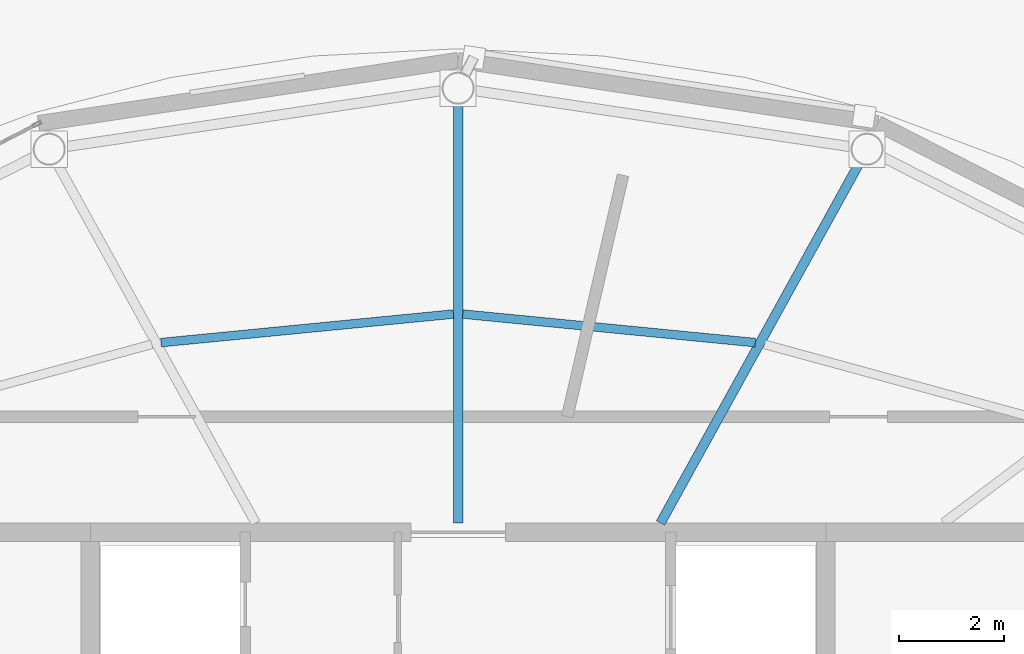
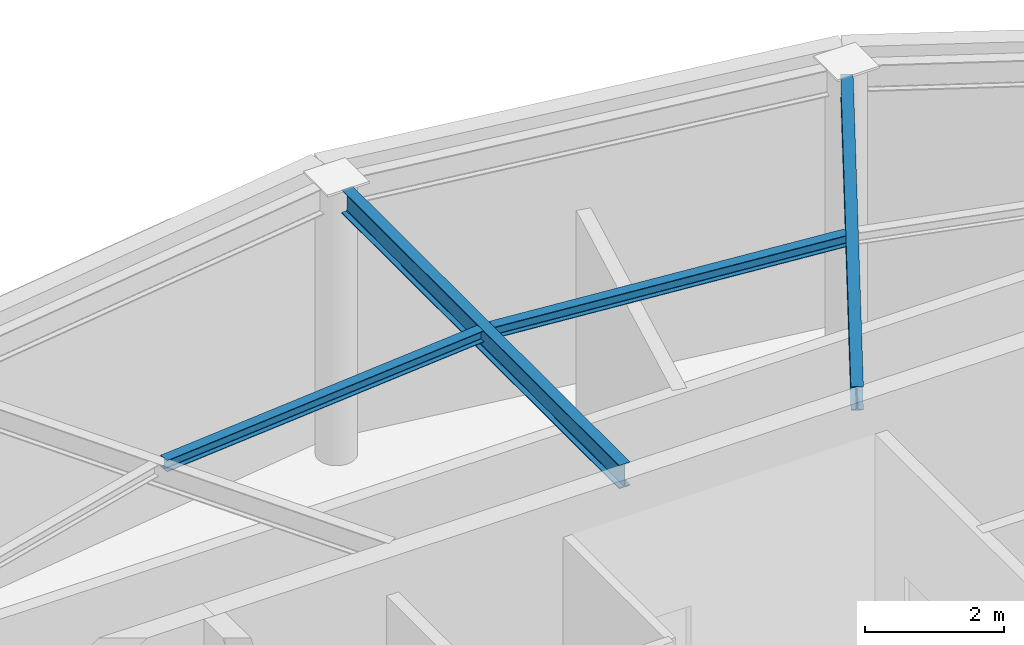
# One storey, part 5 of 15: 4 beams.
"""IFC4 building model written with IfcOpenShell, lengths in metres."""

import ifcopenshell
import ifcopenshell.guid

model = None  # the IFC model being written
_history = None  # IfcOwnerHistory: only IFC2X3 demands one
_inside = {}  # id of a spatial element -> (the spatial element, [elements in it])
_under = {}  # id of a project, library or spatial element -> (it, [spatial elements below it])
_declared = {}  # id of a project -> (the project, [libraries it declares])
_typed = {}  # id of a type object -> (the type object, [elements of that type])
_made_of = {}  # id of a material, layer set ... -> (it, [elements and type objects made of it])


def new_model(schema):
    """Start an empty IFC model of exactly this schema.

    Asked for "IFC4X3", IfcOpenShell would pick the latest addendum, in which some entities
    have other attributes; the version numbers below select the first issue.
    IFC2X3 requires an IfcOwnerHistory on every rooted entity: one is made here for all.
    """
    global model, _history
    if schema == "IFC4X3":
        model = ifcopenshell.file(schema_version=(4, 3, 0, 0))
    else:
        model = ifcopenshell.file(schema=schema)
    _inside.clear()
    _under.clear()
    _declared.clear()
    _typed.clear()
    _made_of.clear()
    _history = None
    if model.schema == "IFC2X3":
        org = make("IfcOrganization", Name="unknown")
        user = make(
            "IfcPersonAndOrganization",
            ThePerson=make("IfcPerson", FamilyName="unknown"),
            TheOrganization=org,
        )
        app = make(
            "IfcApplication",
            ApplicationDeveloper=org,
            Version="unknown",
            ApplicationFullName="unknown",
            ApplicationIdentifier="unknown",
        )
        _history = make(
            "IfcOwnerHistory",
            OwningUser=user,
            OwningApplication=app,
            ChangeAction="ADDED",
            CreationDate=0,
        )
    return model


def make(cls, **values):
    """One entity of the class cls with the attributes given. An attribute that is None is left unset."""
    return model.create_entity(
        cls, **{name: value for name, value in values.items() if value is not None}
    )


def rooted(cls, **values):
    """An entity with a GlobalId (a new one), such as an element, a storey or a relation."""
    return make(cls, GlobalId=ifcopenshell.guid.new(), OwnerHistory=_history, **values)


def si_unit(unit_type, name, prefix=None):
    """IfcSIUnit, for example si_unit("LENGTHUNIT", "METRE", prefix="MILLI")."""
    return make("IfcSIUnit", UnitType=unit_type, Prefix=prefix, Name=name)


def assignment(units):
    """IfcUnitAssignment: the units of a project."""
    return None if units is None else make("IfcUnitAssignment", Units=units)


def point(xyz):
    """IfcCartesianPoint."""
    return None if xyz is None else make("IfcCartesianPoint", Coordinates=xyz)


def direction(xyz):
    """IfcDirection."""
    return None if xyz is None else make("IfcDirection", DirectionRatios=xyz)


def frame(location, z_axis=None, x_axis=None):
    """IfcAxis2Placement3D, a coordinate frame: its origin and axes. An axis left out is left unset."""
    return make(
        "IfcAxis2Placement3D",
        Location=point(location),
        Axis=direction(z_axis),
        RefDirection=direction(x_axis),
    )


def frame_2d(location, x_axis=None):
    """IfcAxis2Placement2D, a coordinate frame in the plane: its origin and x axis."""
    return make(
        "IfcAxis2Placement2D", Location=point(location), RefDirection=direction(x_axis)
    )


def origin():
    """The frame at (0, 0, 0) with its axes left unset."""
    return frame((0.0, 0.0, 0.0))


def origin_2d():
    """The frame at (0, 0) in the plane with its x axis left unset."""
    return frame_2d((0.0, 0.0))


def place(relative_to, where):
    """IfcLocalPlacement: puts the frame where relative to a parent placement (None: the world)."""
    return make(
        "IfcLocalPlacement", PlacementRelTo=relative_to, RelativePlacement=where
    )


def context(
    kind, dimensions, precision=None, world=None, true_north=None, identifier=None
):
    """IfcGeometricRepresentationContext, for example the 3D "Model" context."""
    return make(
        "IfcGeometricRepresentationContext",
        ContextIdentifier=identifier,
        ContextType=kind,
        CoordinateSpaceDimension=dimensions,
        Precision=precision,
        WorldCoordinateSystem=world,
        TrueNorth=true_north,
    )


def subcontext(parent, identifier, kind, view, scale=None):
    """IfcGeometricRepresentationSubContext, for example "Body" below "Model"."""
    return make(
        "IfcGeometricRepresentationSubContext",
        ContextIdentifier=identifier,
        ContextType=kind,
        ParentContext=parent,
        TargetScale=scale,
        TargetView=view,
    )


def project(units=None, contexts=None):
    """IfcProject with its units and contexts."""
    return rooted(
        "IfcProject",
        Name="project",
        RepresentationContexts=contexts,
        UnitsInContext=assignment(units),
    )


def spatial(cls, under=None, at=None, **own):
    """A site, building, storey or space (cls), placed at a placement, below another one or the project."""
    s = rooted(cls, ObjectPlacement=at, **own)
    if under is not None:
        _under.setdefault(under.id(), (under, []))[1].append(s)
    return s


def profile(cls, at=None, kind="AREA", **sizes):
    """A parametric profile (cls). Its sizes go by their IFC names, for example OverallWidth=200.0."""
    return make(cls, ProfileType=kind, Position=at, **sizes)


def i_section(**sizes):
    """IfcIShapeProfileDef."""
    return profile("IfcIShapeProfileDef", **sizes)


def extrude(swept, where, along, depth):
    """IfcExtrudedAreaSolid: the profile swept, set in the frame where, extruded along a direction by depth."""
    return make(
        "IfcExtrudedAreaSolid",
        SweptArea=swept,
        Position=where,
        ExtrudedDirection=direction(along),
        Depth=depth,
    )


def shape(context_of_items, identifier, shape_type, items):
    """IfcShapeRepresentation: the items that make up one representation, for example the "Body"."""
    return make(
        "IfcShapeRepresentation",
        ContextOfItems=context_of_items,
        RepresentationIdentifier=identifier,
        RepresentationType=shape_type,
        Items=items,
    )


def material(Name=None, Category=None):
    """IfcMaterial."""
    return make("IfcMaterial", Name=Name, Category=Category)


def material_profile(
    of_material, cross_section, Name=None, Category=None, Priority=None
):
    """IfcMaterialProfile: a cross section and its material."""
    return make(
        "IfcMaterialProfile",
        Name=Name,
        Material=of_material,
        Profile=cross_section,
        Priority=Priority,
        Category=Category,
    )


def profile_set(profiles, Name=None, composite=None):
    """IfcMaterialProfileSet."""
    return make(
        "IfcMaterialProfileSet",
        Name=Name,
        MaterialProfiles=profiles,
        CompositeProfile=composite,
    )


def made_of(thing, what):
    """Note that an element or type object is made of a material, layer set ...; save() writes the relation."""
    if what is not None:
        _made_of.setdefault(what.id(), (what, []))[1].append(thing)
    return thing


def type_object(cls, material=None, **own):
    """A type object (cls), such as IfcWallType, which elements share."""
    return made_of(rooted(cls, **own), material)


def element(
    cls,
    number,
    at=None,
    inside=None,
    cuts=None,
    type_object=None,
    material=None,
    context=None,
    identifier="Body",
    shape_type=None,
    held_by="IfcProductDefinitionShape",
    body=None,
    shapes=None,
    **own,
):
    """One element of the class cls, such as IfcWall. Its Tag is "e" and its number.

    at: its placement. inside: the storey or other place that contains it. cuts: it is an
    opening in that element (IfcRelVoidsElement). A single representation is given by context,
    identifier, shape_type and body (its items); several are given by shapes. held_by: the class
    of the entity that holds the representations. save() writes the other relations.
    """
    e = rooted(cls, Tag="e%d" % number, ObjectPlacement=at, **own)
    if body is not None:
        shapes = [shape(context, identifier, shape_type, body)]
    if shapes is not None:
        e.Representation = make(held_by, Representations=shapes)
    if inside is not None:
        _inside.setdefault(inside.id(), (inside, []))[1].append(e)
    if cuts is not None:
        rooted(
            "IfcRelVoidsElement", RelatingBuildingElement=cuts, RelatedOpeningElement=e
        )
    if type_object is not None:
        _typed.setdefault(type_object.id(), (type_object, []))[1].append(e)
    return made_of(e, material)


def aggregate(whole, parts):
    """IfcRelAggregates: a whole, such as a stair, and the parts it consists of."""
    return rooted("IfcRelAggregates", RelatingObject=whole, RelatedObjects=parts)


def save(model, path):
    """Write the relations noted so far, then the file.

    IfcRelAggregates (storeys below a building ...), IfcRelContainedInSpatialStructure (elements
    in a storey), IfcRelDefinesByType, IfcRelAssociatesMaterial and IfcRelDeclares: one each for
    every whole, place, type object, material and project.
    """
    for whole, parts in _under.values():
        aggregate(whole, parts)
    for where, things in _inside.values():
        rooted(
            "IfcRelContainedInSpatialStructure",
            RelatedElements=things,
            RelatingStructure=where,
        )
    for kind, things in _typed.values():
        rooted("IfcRelDefinesByType", RelatedObjects=things, RelatingType=kind)
    for what, things in _made_of.values():
        rooted("IfcRelAssociatesMaterial", RelatedObjects=things, RelatingMaterial=what)
    for by, libraries in _declared.values():
        rooted("IfcRelDeclares", RelatingContext=by, RelatedDefinitions=libraries)
    model.write(path)


model = new_model("IFC4")

# Units and contexts
model_context = context("Model", 3, precision=1e-05, world=origin(), true_north=direction((0.0, 1.0)))
body_context = subcontext(model_context, "Body", "Model", "MODEL_VIEW")
ifc_project = project(units=[si_unit("LENGTHUNIT", "METRE"), si_unit("AREAUNIT", "SQUARE_METRE"), si_unit("VOLUMEUNIT", "CUBIC_METRE"), si_unit("PLANEANGLEUNIT", "RADIAN"), si_unit("MASSUNIT", "GRAM", prefix="KILO")], contexts=[model_context])

# Site, building, storey
site_placement = place(None, origin())
site = spatial("IfcSite", under=ifc_project, at=site_placement, CompositionType="ELEMENT")
building_placement = place(site_placement, origin())
building = spatial("IfcBuilding", under=site, at=building_placement, Name="Sarneth Arch Tower", CompositionType="ELEMENT")
storey_placement = place(building_placement, frame((0.0, 0.0, 316.5)))
storey = spatial("IfcBuildingStorey", under=building, at=storey_placement, Name="L82", CompositionType="ELEMENT", Elevation=316.5)

# Beams
ifc_material_1 = material(Name="Steel S355", Category="steel")
ifc_material_profile_1 = material_profile(ifc_material_1, i_section(OverallWidth=0.1650390625, OverallDepth=0.200927734375, WebThickness=0.006103515625, FlangeThickness=0.01025390625, FilletRadius=0.010009765625, at=origin_2d()), Name="W200x35.9")
ifc_profile_set_1 = profile_set([ifc_material_profile_1], Name="Steel S355")
beam_type_1 = type_object("IfcBeamType", Name="BM-JOIST-200", PredefinedType="JOIST", material=ifc_profile_set_1)
for number, where, z_axis, x_axis, name in (
    (1, (53.65478515625, 52.407470703125, 4.739501953125), (-0.995261554791, 0.097233932113, 0.0), (-0.097233932113, -0.995261554791, 0.0), "L82 Secondary floor joist 04"),
    (2, (47.910400390625, 52.951171875, 4.739501953125), (-0.995261554791, -0.097233932113, 0.0), (0.097233932113, -0.995261554791, 0.0), "L82 Secondary floor joist 05"),
):
    element("IfcBeam", number, at=place(storey_placement, frame(where, z_axis=z_axis, x_axis=x_axis)), inside=storey, type_object=beam_type_1, Name=name, PredefinedType="JOIST", context=body_context, shape_type="SweptSolid", body=[
        extrude(i_section(OverallWidth=0.1650390625, OverallDepth=0.200927734375, WebThickness=0.006103515625, FlangeThickness=0.01025390625, FilletRadius=0.010009765625, at=origin_2d()), origin(), (0.0, 0.0, 1.0), 5.591796875),
    ])
ifc_material_2 = material(Name="Steel S355", Category="steel")
ifc_material_profile_2 = material_profile(ifc_material_2, i_section(OverallWidth=0.179931640625, OverallDepth=0.4130859375, WebThickness=0.009765625, FlangeThickness=0.01611328125, FilletRadius=0.01611328125, at=origin_2d()), Name="W410x75")
ifc_profile_set_2 = profile_set([ifc_material_profile_2], Name="Steel S355")
beam_type_2 = type_object("IfcBeamType", Name="BM-RAD-410B", PredefinedType="BEAM", material=ifc_profile_set_2)
beam_1_placement = place(storey_placement, frame((51.85302734375, 48.97509765625, 4.633544921875), z_axis=(0.483540137105, 0.875322189715, 0.0), x_axis=(-0.875322189715, 0.483540137105, 0.0)))
element("IfcBeam", 3, at=beam_1_placement, inside=storey, type_object=beam_type_2, Name="L82 Radial floor girder 04", PredefinedType="BEAM", context=body_context, shape_type="SweptSolid", body=[
    extrude(i_section(OverallWidth=0.179931640625, OverallDepth=0.4130859375, WebThickness=0.009765625, FlangeThickness=0.01611328125, FilletRadius=0.01611328125, at=origin_2d()), origin(), (0.0, 0.0, 1.0), 7.822509765625),
])
beam_2_placement = place(storey_placement, frame((48.0, 48.97509765625, 4.633544921875), z_axis=(0.0, 1.0, 0.0), x_axis=(-1.0, 0.0, 0.0)))
element("IfcBeam", 4, at=beam_2_placement, inside=storey, type_object=beam_type_2, Name="L82 Radial floor girder 05", PredefinedType="BEAM", context=body_context, shape_type="SweptSolid", body=[
    extrude(i_section(OverallWidth=0.179931640625, OverallDepth=0.4130859375, WebThickness=0.009765625, FlangeThickness=0.01611328125, FilletRadius=0.01611328125, at=origin_2d()), origin(), (0.0, 0.0, 1.0), 7.969970703125),
])

save(model, "model.ifc")
